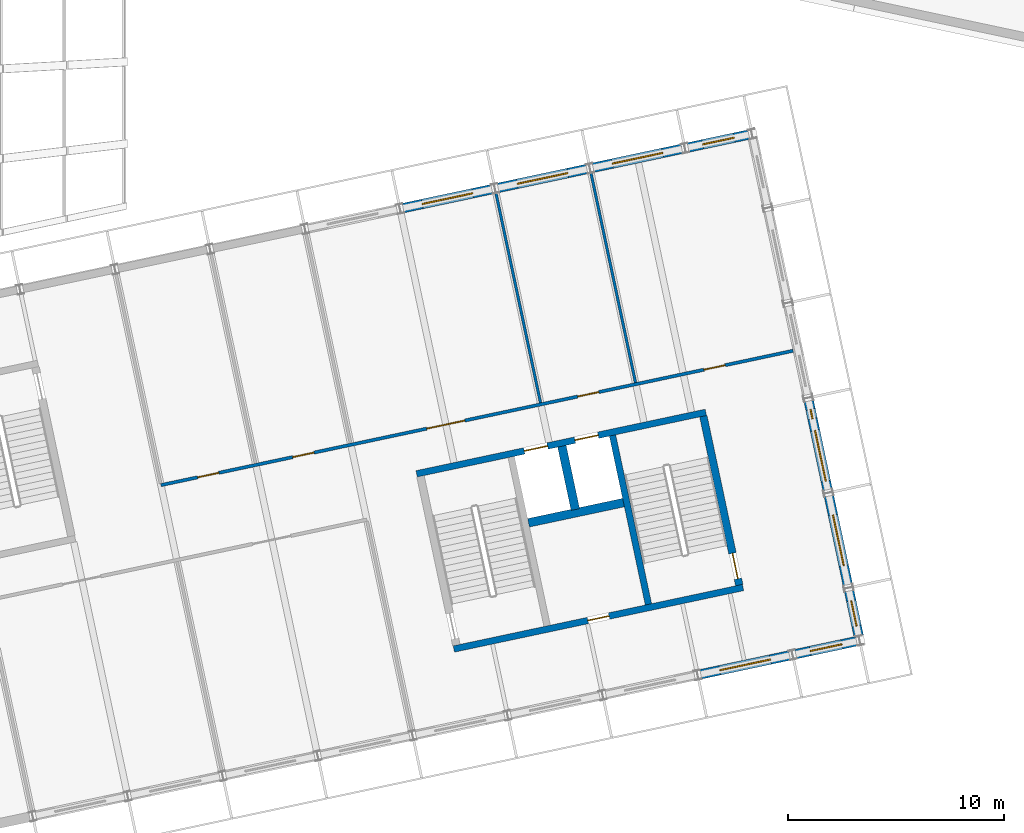
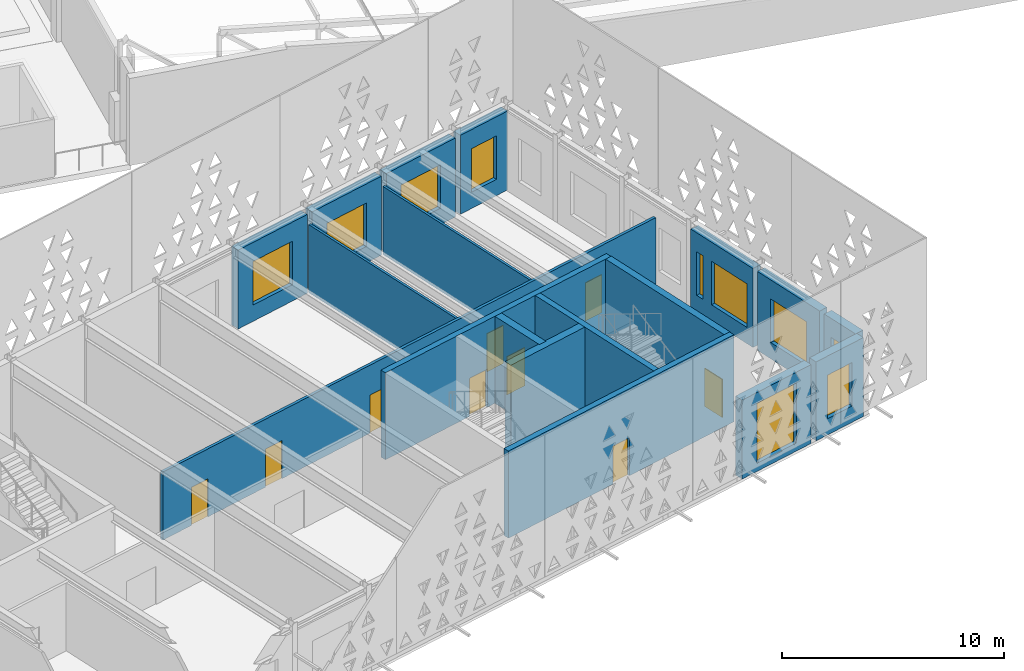
# One storey, part 125 of 196: 18 walls, 10 windows, 9 doors, 19 openings.
"""IFC4 building model written with IfcOpenShell, lengths in metres."""

from ifc_helpers import new_model, si_unit, direction, frame, frame_2d, origin, place, context, subcontext, project, spatial, rectangle, extrude, material, layer, layer_set, type_object, element, fill, save


model = new_model("IFC4")

# Units and contexts
model_context = context("Model", 3, precision=1e-05, world=origin(), true_north=direction((0.0, 1.0)))
body_context = subcontext(model_context, "Body", "Model", "MODEL_VIEW")
ifc_project = project(units=[si_unit("LENGTHUNIT", "METRE"), si_unit("AREAUNIT", "SQUARE_METRE"), si_unit("VOLUMEUNIT", "CUBIC_METRE"), si_unit("PLANEANGLEUNIT", "RADIAN"), si_unit("MASSUNIT", "GRAM", prefix="KILO")], contexts=[model_context])

# Site, building, storey
site_placement = place(None, origin())
site = spatial("IfcSite", under=ifc_project, at=site_placement, CompositionType="ELEMENT")
building_placement = place(site_placement, origin())
building = spatial("IfcBuilding", under=site, at=building_placement, Name="Okhra Congress Centre", CompositionType="ELEMENT")
storey_placement = place(building_placement, frame((0.0, 0.0, 12.0)))
storey = spatial("IfcBuildingStorey", under=building, at=storey_placement, Name="L02", CompositionType="ELEMENT", Elevation=12.0)

# Wall, opening, window
ifc_material_1 = material(Name="Insulated metal panel on steel stud (mineral wool, vapour barrier)", Category="steel")
ifc_layer_1 = layer(ifc_material_1, 0.449951171875)
ifc_layer_set_1 = layer_set([ifc_layer_1], Name="Insulated wall 450")
wall_type_1 = type_object("IfcWallType", Name="Insulated wall 450", PredefinedType="SOLIDWALL", material=ifc_layer_set_1)
wall_1_placement = place(storey_placement, frame((210.814208984375, 58.65087890625, 0.0), z_axis=(0.0, 0.0, 1.0), x_axis=(0.978146440129, 0.207917150959, 0.0)))
wall_1 = element("IfcWall", 1, at=wall_1_placement, inside=storey, type_object=wall_type_1, Name="External wall S35 L02", PredefinedType="SOLIDWALL", context=body_context, shape_type="SweptSolid", body=[
    extrude(rectangle(XDim=4.2001953125, YDim=0.449951171875, at=frame_2d((2.10009765625, 0.0))), origin(), (0.0, 0.0, 1.0), 4.35009765625),
])
opening_1_placement = place(wall_1_placement, frame((0.89990234375, 0.0, 0.449951171875)))
opening_1 = element("IfcOpeningElement", 2, at=opening_1_placement, cuts=wall_1, Name="Opening WN21", PredefinedType="OPENING", context=body_context, shape_type="SweptSolid", body=[
    extrude(rectangle(XDim=2.39990234375, YDim=3.300048828125, at=frame_2d((1.199951171875, 1.64990234375))), frame((0.0, 0.23486328125, 0.0), z_axis=(0.0, -1.0, 0.0), x_axis=(1.0, 0.0, 0.0)), (0.0, 0.0, 1.0), 0.469970703125),
])
ifc_material_2 = material(Name="Thermally broken aluminium frame, triple glazing", Category="aluminium")
window_type_1 = type_object("IfcWindowType", Name="Two-light window 2400x3300", PartitioningType="DOUBLE_PANEL_VERTICAL", PredefinedType="WINDOW", material=ifc_material_2)
window_1_placement = place(opening_1_placement, origin())
window_1 = element("IfcWindow", 3, at=window_1_placement, inside=storey, type_object=window_type_1, Name="BX.WIN.L02.35", OverallHeight=3.300048828125, OverallWidth=2.39990234375, PartitioningType="DOUBLE_PANEL_VERTICAL", PredefinedType="WINDOW", context=body_context, shape_type="SweptSolid", body=[
    extrude(rectangle(XDim=2.39990234375, YDim=3.300048828125, at=frame_2d((1.199951171875, 1.64990234375))), frame((0.0, 0.030029296875, 0.0), z_axis=(0.0, -1.0, 0.0), x_axis=(1.0, 0.0, 0.0)), (0.0, 0.0, 1.0), 0.06005859375),
])
fill(opening_1, window_1)

wall_2_placement = place(storey_placement, frame((215.216064453125, 59.58642578125, 0.0), z_axis=(0.0, 0.0, 1.0), x_axis=(0.978134239598, 0.207974540092, 0.0)))
wall_2 = element("IfcWall", 4, at=wall_2_placement, inside=storey, type_object=wall_type_1, Name="External wall S36 L02", PredefinedType="SOLIDWALL", context=body_context, shape_type="SweptSolid", body=[
    extrude(rectangle(XDim=2.874755859375, YDim=0.449951171875, at=frame_2d((1.4375, 0.0))), origin(), (0.0, 0.0, 1.0), 4.35009765625),
])
opening_2_placement = place(wall_2_placement, frame((0.6875, 0.0, 0.89990234375)))
opening_2 = element("IfcOpeningElement", 5, at=opening_2_placement, cuts=wall_2, Name="Opening WN20", PredefinedType="OPENING", context=body_context, shape_type="SweptSolid", body=[
    extrude(rectangle(XDim=1.5, YDim=2.39990234375, at=frame_2d((0.75, 1.199951171875))), frame((0.0, 0.23486328125, 0.0), z_axis=(0.0, -1.0, 0.0), x_axis=(1.0, 0.0, 0.0)), (0.0, 0.0, 1.0), 0.469970703125),
])
window_type_2 = type_object("IfcWindowType", Name="Fixed window 1500x2400", PartitioningType="SINGLE_PANEL", PredefinedType="WINDOW", material=ifc_material_2)
window_2_placement = place(opening_2_placement, origin())
window_2 = element("IfcWindow", 6, at=window_2_placement, inside=storey, type_object=window_type_2, Name="BX.WIN.L02.36", OverallHeight=2.39990234375, OverallWidth=1.5, PartitioningType="SINGLE_PANEL", PredefinedType="WINDOW", context=body_context, shape_type="SweptSolid", body=[
    extrude(rectangle(XDim=1.5, YDim=2.39990234375, at=frame_2d((0.75, 1.199951171875))), frame((0.0, 0.030029296875, 0.0), z_axis=(0.0, -1.0, 0.0), x_axis=(1.0, 0.0, 0.0)), (0.0, 0.0, 1.0), 0.06005859375),
])
fill(opening_2, window_2)

wall_3_placement = place(storey_placement, frame((197.02099609375, 80.25537109375, 0.0), z_axis=(0.0, 0.0, 1.0), x_axis=(0.97815826, 0.207861536591, 0.0)))
wall_3 = element("IfcWall", 7, at=wall_3_placement, inside=storey, type_object=wall_type_1, Name="External wall N33 L02", PredefinedType="SOLIDWALL", context=body_context, shape_type="SweptSolid", body=[
    extrude(rectangle(XDim=4.2001953125, YDim=0.449951171875, at=frame_2d((2.10009765625, 0.0))), origin(), (0.0, 0.0, 1.0), 4.35009765625),
])
opening_3_placement = place(wall_3_placement, frame((0.89990234375, 0.0, 0.89990234375)))
opening_3 = element("IfcOpeningElement", 8, at=opening_3_placement, cuts=wall_3, Name="Opening WN22", PredefinedType="OPENING", context=body_context, shape_type="SweptSolid", body=[
    extrude(rectangle(XDim=2.39990234375, YDim=2.39990234375, at=frame_2d((1.199951171875, 1.199951171875))), frame((0.0, 0.23486328125, 0.0), z_axis=(0.0, -1.0, 0.0), x_axis=(1.0, 0.0, 0.0)), (0.0, 0.0, 1.0), 0.469970703125),
])
window_type_3 = type_object("IfcWindowType", Name="Fixed window 2400x2400", PartitioningType="SINGLE_PANEL", PredefinedType="WINDOW", material=ifc_material_2)
window_3_placement = place(opening_3_placement, origin())
window_3 = element("IfcWindow", 9, at=window_3_placement, inside=storey, type_object=window_type_3, Name="BX.WIN.L02.60", OverallHeight=2.39990234375, OverallWidth=2.39990234375, PartitioningType="SINGLE_PANEL", PredefinedType="WINDOW", context=body_context, shape_type="SweptSolid", body=[
    extrude(rectangle(XDim=2.39990234375, YDim=2.39990234375, at=frame_2d((1.199951171875, 1.199951171875))), frame((0.0, 0.030029296875, 0.0), z_axis=(0.0, -1.0, 0.0), x_axis=(1.0, 0.0, 0.0)), (0.0, 0.0, 1.0), 0.06005859375),
])
fill(opening_3, window_3)

wall_4_placement = place(storey_placement, frame((201.4228515625, 81.19091796875, 0.0), z_axis=(0.0, 0.0, 1.0), x_axis=(0.978155748334, 0.207873355681, 0.0)))
wall_4 = element("IfcWall", 10, at=wall_4_placement, inside=storey, type_object=wall_type_1, Name="External wall N34 L02", PredefinedType="SOLIDWALL", context=body_context, shape_type="SweptSolid", body=[
    extrude(rectangle(XDim=4.199951171875, YDim=0.449951171875, at=frame_2d((2.10009765625, 0.0))), origin(), (0.0, 0.0, 1.0), 4.35009765625),
])
opening_4_placement = place(wall_4_placement, frame((0.89990234375, 0.0, 0.89990234375)))
opening_4 = element("IfcOpeningElement", 11, at=opening_4_placement, cuts=wall_4, Name="Opening WN22", PredefinedType="OPENING", context=body_context, shape_type="SweptSolid", body=[
    extrude(rectangle(XDim=2.39990234375, YDim=2.39990234375, at=frame_2d((1.199951171875, 1.199951171875))), frame((0.0, 0.23486328125, 0.0), z_axis=(0.0, -1.0, 0.0), x_axis=(1.0, 0.0, 0.0)), (0.0, 0.0, 1.0), 0.469970703125),
])
window_4_placement = place(opening_4_placement, origin())
window_4 = element("IfcWindow", 12, at=window_4_placement, inside=storey, type_object=window_type_3, Name="BX.WIN.L02.61", OverallHeight=2.39990234375, OverallWidth=2.39990234375, PartitioningType="SINGLE_PANEL", PredefinedType="WINDOW", context=body_context, shape_type="SweptSolid", body=[
    extrude(rectangle(XDim=2.39990234375, YDim=2.39990234375, at=frame_2d((1.199951171875, 1.199951171875))), frame((0.0, 0.030029296875, 0.0), z_axis=(0.0, -1.0, 0.0), x_axis=(1.0, 0.0, 0.0)), (0.0, 0.0, 1.0), 0.06005859375),
])
fill(opening_4, window_4)

wall_5_placement = place(storey_placement, frame((205.824462890625, 82.12646484375, 0.0), z_axis=(0.0, 0.0, 1.0), x_axis=(0.978143927149, 0.207928972925, 0.0)))
wall_5 = element("IfcWall", 13, at=wall_5_placement, inside=storey, type_object=wall_type_1, Name="External wall N35 L02", PredefinedType="SOLIDWALL", context=body_context, shape_type="SweptSolid", body=[
    extrude(rectangle(XDim=4.199951171875, YDim=0.449951171875, at=frame_2d((2.10009765625, 0.0))), origin(), (0.0, 0.0, 1.0), 4.35009765625),
])
opening_5_placement = place(wall_5_placement, frame((0.89990234375, 0.0, 0.89990234375)))
opening_5 = element("IfcOpeningElement", 14, at=opening_5_placement, cuts=wall_5, Name="Opening WN22", PredefinedType="OPENING", context=body_context, shape_type="SweptSolid", body=[
    extrude(rectangle(XDim=2.39990234375, YDim=2.39990234375, at=frame_2d((1.199951171875, 1.199951171875))), frame((0.0, 0.23486328125, 0.0), z_axis=(0.0, -1.0, 0.0), x_axis=(1.0, 0.0, 0.0)), (0.0, 0.0, 1.0), 0.469970703125),
])
window_5_placement = place(opening_5_placement, origin())
window_5 = element("IfcWindow", 15, at=window_5_placement, inside=storey, type_object=window_type_3, Name="BX.WIN.L02.62", OverallHeight=2.39990234375, OverallWidth=2.39990234375, PartitioningType="SINGLE_PANEL", PredefinedType="WINDOW", context=body_context, shape_type="SweptSolid", body=[
    extrude(rectangle(XDim=2.39990234375, YDim=2.39990234375, at=frame_2d((1.199951171875, 1.199951171875))), frame((0.0, 0.030029296875, 0.0), z_axis=(0.0, -1.0, 0.0), x_axis=(1.0, 0.0, 0.0)), (0.0, 0.0, 1.0), 0.06005859375),
])
fill(opening_5, window_5)

wall_6_placement = place(storey_placement, frame((210.22607421875, 83.06201171875, 0.0), z_axis=(0.0, 0.0, 1.0), x_axis=(0.978137912316, 0.207957266018, 0.0)))
wall_6 = element("IfcWall", 16, at=wall_6_placement, inside=storey, type_object=wall_type_1, Name="External wall N36 L02", PredefinedType="SOLIDWALL", context=body_context, shape_type="SweptSolid", body=[
    extrude(rectangle(XDim=2.875, YDim=0.449951171875, at=frame_2d((1.4375, 0.0))), origin(), (0.0, 0.0, 1.0), 4.35009765625),
])
opening_6_placement = place(wall_6_placement, frame((0.6875, 0.0, 0.89990234375)))
opening_6 = element("IfcOpeningElement", 17, at=opening_6_placement, cuts=wall_6, Name="Opening WN20", PredefinedType="OPENING", context=body_context, shape_type="SweptSolid", body=[
    extrude(rectangle(XDim=1.5, YDim=2.39990234375, at=frame_2d((0.75, 1.199951171875))), frame((0.0, 0.23486328125, 0.0), z_axis=(0.0, -1.0, 0.0), x_axis=(1.0, 0.0, 0.0)), (0.0, 0.0, 1.0), 0.469970703125),
])
window_6_placement = place(opening_6_placement, origin())
window_6 = element("IfcWindow", 18, at=window_6_placement, inside=storey, type_object=window_type_2, Name="BX.WIN.L02.63", OverallHeight=2.39990234375, OverallWidth=1.5, PartitioningType="SINGLE_PANEL", PredefinedType="WINDOW", context=body_context, shape_type="SweptSolid", body=[
    extrude(rectangle(XDim=1.5, YDim=2.39990234375, at=frame_2d((0.75, 1.199951171875))), frame((0.0, 0.030029296875, 0.0), z_axis=(0.0, -1.0, 0.0), x_axis=(1.0, 0.0, 0.0)), (0.0, 0.0, 1.0), 0.06005859375),
])
fill(opening_6, window_6)

wall_7_placement = place(storey_placement, frame((218.129150390625, 60.4306640625, 0.0), z_axis=(0.0, 0.0, 1.0), x_axis=(-0.207943944947, 0.978140744351, 0.0)))
wall_7 = element("IfcWall", 19, at=wall_7_placement, inside=storey, type_object=wall_type_1, Name="External wall E1 L02", PredefinedType="SOLIDWALL", context=body_context, shape_type="SweptSolid", body=[
    extrude(rectangle(XDim=2.125, YDim=0.449951171875, at=frame_2d((1.0625, 0.0))), origin(), (0.0, 0.0, 1.0), 4.35009765625),
])
opening_7_placement = place(wall_7_placement, frame((0.46240234375, 0.0, 0.89990234375)))
opening_7 = element("IfcOpeningElement", 20, at=opening_7_placement, cuts=wall_7, Name="Opening WN25", PredefinedType="OPENING", context=body_context, shape_type="SweptSolid", body=[
    extrude(rectangle(XDim=1.199951171875, YDim=2.39990234375, at=frame_2d((0.60009765625, 1.199951171875))), frame((0.0, 0.23486328125, 0.0), z_axis=(0.0, -1.0, 0.0), x_axis=(1.0, 0.0, 0.0)), (0.0, 0.0, 1.0), 0.469970703125),
])
window_type_4 = type_object("IfcWindowType", Name="Fixed window 1200x2400", PartitioningType="SINGLE_PANEL", PredefinedType="WINDOW", material=ifc_material_2)
window_7_placement = place(opening_7_placement, origin())
window_7 = element("IfcWindow", 21, at=window_7_placement, inside=storey, type_object=window_type_4, Name="BX.WIN.L02.72", OverallHeight=2.39990234375, OverallWidth=1.199951171875, PartitioningType="SINGLE_PANEL", PredefinedType="WINDOW", context=body_context, shape_type="SweptSolid", body=[
    extrude(rectangle(XDim=1.199951171875, YDim=2.39990234375, at=frame_2d((0.60009765625, 1.199951171875))), frame((0.0, 0.030029296875, 0.0), z_axis=(0.0, -1.0, 0.0), x_axis=(1.0, 0.0, 0.0)), (0.0, 0.0, 1.0), 0.06005859375),
])
fill(opening_7, window_7)

wall_8_placement = place(storey_placement, frame((217.625, 62.802734375, 0.0), z_axis=(0.0, 0.0, 1.0), x_axis=(-0.207928972925, 0.978143927149, 0.0)))
wall_8 = element("IfcWall", 22, at=wall_8_placement, inside=storey, type_object=wall_type_1, Name="External wall E2 L02", PredefinedType="SOLIDWALL", context=body_context, shape_type="SweptSolid", body=[
    extrude(rectangle(XDim=4.199951171875, YDim=0.449951171875, at=frame_2d((2.10009765625, 0.0))), origin(), (0.0, 0.0, 1.0), 4.35009765625),
])
opening_8_placement = place(wall_8_placement, frame((0.89990234375, 0.0, 0.89990234375)))
opening_8 = element("IfcOpeningElement", 23, at=opening_8_placement, cuts=wall_8, Name="Opening WN22", PredefinedType="OPENING", context=body_context, shape_type="SweptSolid", body=[
    extrude(rectangle(XDim=2.39990234375, YDim=2.39990234375, at=frame_2d((1.199951171875, 1.199951171875))), frame((0.0, 0.23486328125, 0.0), z_axis=(0.0, -1.0, 0.0), x_axis=(1.0, 0.0, 0.0)), (0.0, 0.0, 1.0), 0.469970703125),
])
window_8_placement = place(opening_8_placement, origin())
window_8 = element("IfcWindow", 24, at=window_8_placement, inside=storey, type_object=window_type_3, Name="BX.WIN.L02.73", OverallHeight=2.39990234375, OverallWidth=2.39990234375, PartitioningType="SINGLE_PANEL", PredefinedType="WINDOW", context=body_context, shape_type="SweptSolid", body=[
    extrude(rectangle(XDim=2.39990234375, YDim=2.39990234375, at=frame_2d((1.199951171875, 1.199951171875))), frame((0.0, 0.030029296875, 0.0), z_axis=(0.0, -1.0, 0.0), x_axis=(1.0, 0.0, 0.0)), (0.0, 0.0, 1.0), 0.06005859375),
])
fill(opening_8, window_8)

# Wall, openings, windows
wall_9_placement = place(storey_placement, frame((216.689208984375, 67.204345703125, 0.0), z_axis=(0.0, 0.0, 1.0), x_axis=(-0.207873355681, 0.978155748334, 0.0)))
wall_9 = element("IfcWall", 25, at=wall_9_placement, inside=storey, type_object=wall_type_1, Name="External wall E3 L02", PredefinedType="SOLIDWALL", context=body_context, shape_type="SweptSolid", body=[
    extrude(rectangle(XDim=4.199951171875, YDim=0.449951171875, at=frame_2d((2.10009765625, 0.0))), origin(), (0.0, 0.0, 1.0), 4.35009765625),
])
opening_9_placement = place(wall_9_placement, frame((0.39990234375, 0.0, 0.89990234375)))
opening_9 = element("IfcOpeningElement", 26, at=opening_9_placement, cuts=wall_9, Name="Opening WN26", PredefinedType="OPENING", context=body_context, shape_type="SweptSolid", body=[
    extrude(rectangle(XDim=2.405029296875, YDim=2.39990234375, at=frame_2d((1.20263671875, 1.199951171875))), frame((0.0, 0.23486328125, 0.0), z_axis=(0.0, -1.0, 0.0), x_axis=(1.0, 0.0, 0.0)), (0.0, 0.0, 1.0), 0.469970703125),
])
opening_10_placement = place(wall_9_placement, frame((3.35498046875, 0.0, 0.89990234375)))
opening_10 = element("IfcOpeningElement", 27, at=opening_10_placement, cuts=wall_9, Name="Opening WN27", PredefinedType="OPENING", context=body_context, shape_type="SweptSolid", body=[
    extrude(rectangle(XDim=0.445068359375, YDim=2.39990234375, at=frame_2d((0.22265625, 1.199951171875))), frame((0.0, 0.23486328125, 0.0), z_axis=(0.0, -1.0, 0.0), x_axis=(1.0, 0.0, 0.0)), (0.0, 0.0, 1.0), 0.469970703125),
])
window_type_5 = type_object("IfcWindowType", Name="Fixed window 2405x2400", PartitioningType="SINGLE_PANEL", PredefinedType="WINDOW", material=ifc_material_2)
window_9_placement = place(opening_9_placement, origin())
window_9 = element("IfcWindow", 28, at=window_9_placement, inside=storey, type_object=window_type_5, Name="BX.WIN.L02.74", OverallHeight=2.39990234375, OverallWidth=2.405029296875, PartitioningType="SINGLE_PANEL", PredefinedType="WINDOW", context=body_context, shape_type="SweptSolid", body=[
    extrude(rectangle(XDim=2.405029296875, YDim=2.39990234375, at=frame_2d((1.20263671875, 1.199951171875))), frame((0.0, 0.030029296875, 0.0), z_axis=(0.0, -1.0, 0.0), x_axis=(1.0, 0.0, 0.0)), (0.0, 0.0, 1.0), 0.06005859375),
])
fill(opening_9, window_9)
window_type_6 = type_object("IfcWindowType", Name="Fixed window 445x2400", PartitioningType="SINGLE_PANEL", PredefinedType="WINDOW", material=ifc_material_2)
window_10_placement = place(opening_10_placement, origin())
window_10 = element("IfcWindow", 29, at=window_10_placement, inside=storey, type_object=window_type_6, Name="BX.WIN.L02.75", OverallHeight=2.39990234375, OverallWidth=0.445068359375, PartitioningType="SINGLE_PANEL", PredefinedType="WINDOW", context=body_context, shape_type="SweptSolid", body=[
    extrude(rectangle(XDim=0.445068359375, YDim=2.39990234375, at=frame_2d((0.22265625, 1.199951171875))), frame((0.0, 0.030029296875, 0.0), z_axis=(0.0, -1.0, 0.0), x_axis=(1.0, 0.0, 0.0)), (0.0, 0.0, 1.0), 0.06005859375),
])
fill(opening_10, window_10)

# Walls
ifc_material_3 = material(Name="Gypsum board on steel studs", Category="steel")
ifc_layer_2 = layer(ifc_material_3, 0.125)
ifc_layer_set_2 = layer_set([ifc_layer_2], Name="Partition 125 EI 45")
wall_type_2 = type_object("IfcWallType", Name="Partition 125 EI 45", PredefinedType="PARTITIONING", material=ifc_layer_set_2)
wall_10_placement = place(storey_placement, frame((201.32275390625, 80.939697265625, 0.0), z_axis=(0.0, 0.0, 1.0), x_axis=(0.207904355568, -0.978149159861, 0.0)))
element("IfcWall", 30, at=wall_10_placement, inside=storey, type_object=wall_type_2, Name="Partition N L02", PredefinedType="PARTITIONING", context=body_context, shape_type="SweptSolid", body=[
    extrude(rectangle(XDim=9.925048828125, YDim=0.125, at=frame_2d((4.96240234375, 0.0))), origin(), (0.0, 0.0, 1.0), 3.75),
])
wall_11_placement = place(storey_placement, frame((205.724365234375, 81.875244140625, 0.0), z_axis=(0.0, 0.0, 1.0), x_axis=(0.207927890391, -0.978144157268, 0.0)))
element("IfcWall", 31, at=wall_11_placement, inside=storey, type_object=wall_type_2, Name="Partition N L02", PredefinedType="PARTITIONING", context=body_context, shape_type="SweptSolid", body=[
    extrude(rectangle(XDim=9.92529296875, YDim=0.125, at=frame_2d((4.962646484375, 0.0))), origin(), (0.0, 0.0, 1.0), 3.75),
])

# Wall, openings, doors
ifc_layer_3 = layer(ifc_material_3, 0.14990234375)
ifc_layer_set_3 = layer_set([ifc_layer_3], Name="Partition 150 EI 15")
wall_type_3 = type_object("IfcWallType", Name="Partition 150 EI 15", PredefinedType="PARTITIONING", material=ifc_layer_set_3)
wall_12_placement = place(storey_placement, frame((185.795166015625, 67.415771484375, 0.0), z_axis=(0.0, 0.0, 1.0), x_axis=(0.978148801969, 0.20790603937, 0.0)))
wall_12 = element("IfcWall", 32, at=wall_12_placement, inside=storey, type_object=wall_type_3, Name="Corridor wall N3 L02", PredefinedType="PARTITIONING", context=body_context, shape_type="SweptSolid", body=[
    extrude(rectangle(XDim=29.9501953125, YDim=0.14990234375, at=frame_2d((14.97509765625, 0.0))), origin(), (0.0, 0.0, 1.0), 3.75),
])
opening_11_placement = place(wall_12_placement, frame((1.75, 0.0, 0.0)))
opening_11 = element("IfcOpeningElement", 33, at=opening_11_placement, cuts=wall_12, Name="Opening L02-083", PredefinedType="OPENING", context=body_context, shape_type="SweptSolid", body=[
    extrude(rectangle(XDim=1.0, YDim=2.10009765625, at=frame_2d((0.5, 1.050048828125))), frame((0.0, 0.0849609375, 0.0), z_axis=(0.0, -1.0, 0.0), x_axis=(1.0, 0.0, 0.0)), (0.0, 0.0, 1.0), 0.169921875),
])
opening_12_placement = place(wall_12_placement, frame((6.25, 0.0, 0.0)))
opening_12 = element("IfcOpeningElement", 34, at=opening_12_placement, cuts=wall_12, Name="Opening L02-084", PredefinedType="OPENING", context=body_context, shape_type="SweptSolid", body=[
    extrude(rectangle(XDim=1.0, YDim=2.10009765625, at=frame_2d((0.5, 1.050048828125))), frame((0.0, 0.0849609375, 0.0), z_axis=(0.0, -1.0, 0.0), x_axis=(1.0, 0.0, 0.0)), (0.0, 0.0, 1.0), 0.169921875),
])
opening_13_placement = place(wall_12_placement, frame((12.60009765625, 0.0, 0.0)))
opening_13 = element("IfcOpeningElement", 35, at=opening_13_placement, cuts=wall_12, Name="Opening L02-085", PredefinedType="OPENING", context=body_context, shape_type="SweptSolid", body=[
    extrude(rectangle(XDim=1.800048828125, YDim=2.10009765625, at=frame_2d((0.89990234375, 1.050048828125))), frame((0.0, 0.0849609375, 0.0), z_axis=(0.0, -1.0, 0.0), x_axis=(1.0, 0.0, 0.0)), (0.0, 0.0, 1.0), 0.169921875),
])
opening_14_placement = place(wall_12_placement, frame((19.75, 0.0, 0.0)))
opening_14 = element("IfcOpeningElement", 36, at=opening_14_placement, cuts=wall_12, Name="Opening L02-086", PredefinedType="OPENING", context=body_context, shape_type="SweptSolid", body=[
    extrude(rectangle(XDim=1.0, YDim=2.10009765625, at=frame_2d((0.5, 1.050048828125))), frame((0.0, 0.0849609375, 0.0), z_axis=(0.0, -1.0, 0.0), x_axis=(1.0, 0.0, 0.0)), (0.0, 0.0, 1.0), 0.169921875),
])
opening_15_placement = place(wall_12_placement, frame((25.72509765625, 0.0, 0.0)))
opening_15 = element("IfcOpeningElement", 37, at=opening_15_placement, cuts=wall_12, Name="Opening L02-087", PredefinedType="OPENING", context=body_context, shape_type="SweptSolid", body=[
    extrude(rectangle(XDim=1.0, YDim=2.10009765625, at=frame_2d((0.5, 1.050048828125))), frame((0.0, 0.0849609375, 0.0), z_axis=(0.0, -1.0, 0.0), x_axis=(1.0, 0.0, 0.0)), (0.0, 0.0, 1.0), 0.169921875),
])
ifc_material_4 = material(Name="Timber door leaves in steel frame", Category="steel")
door_type_1 = type_object("IfcDoorType", Name="Double swing door 1800x2100", OperationType="NOTDEFINED", PredefinedType="DOOR", material=ifc_material_4)
door_1_placement = place(opening_13_placement, frame((1.800048828125, 0.0, 0.0), z_axis=(0.0, 0.0, 1.0), x_axis=(-1.0, 0.0, 0.0)))
door_1 = element("IfcDoor", 38, at=door_1_placement, inside=storey, type_object=door_type_1, Name="Door L02-085", OperationType="DOUBLE_DOOR_SINGLE_SWING", OverallHeight=2.10009765625, OverallWidth=1.800048828125, PredefinedType="DOOR", context=body_context, shape_type="SweptSolid", body=[
    extrude(rectangle(XDim=1.800048828125, YDim=2.10009765625, at=frame_2d((0.89990234375, 1.050048828125))), frame((0.0, 0.02490234375, 0.0), z_axis=(0.0, -1.0, 0.0), x_axis=(1.0, 0.0, 0.0)), (0.0, 0.0, 1.0), 0.050048828125),
])
fill(opening_13, door_1)
ifc_material_5 = material(Name="Timber door leaf in steel frame", Category="steel")
door_type_2 = type_object("IfcDoorType", Name="Single swing door 1000x2100", OperationType="NOTDEFINED", PredefinedType="DOOR", material=ifc_material_5)
door_2_placement = place(opening_11_placement, origin())
door_2 = element("IfcDoor", 39, at=door_2_placement, inside=storey, type_object=door_type_2, Name="Door L02-083", OperationType="SINGLE_SWING_RIGHT", OverallHeight=2.10009765625, OverallWidth=1.0, PredefinedType="DOOR", context=body_context, shape_type="SweptSolid", body=[
    extrude(rectangle(XDim=1.0, YDim=2.10009765625, at=frame_2d((0.5, 1.050048828125))), frame((0.0, 0.02490234375, 0.0), z_axis=(0.0, -1.0, 0.0), x_axis=(1.0, 0.0, 0.0)), (0.0, 0.0, 1.0), 0.050048828125),
])
fill(opening_11, door_2)
door_3_placement = place(opening_12_placement, origin())
door_3 = element("IfcDoor", 40, at=door_3_placement, inside=storey, type_object=door_type_2, Name="Door L02-084", OperationType="SINGLE_SWING_LEFT", OverallHeight=2.10009765625, OverallWidth=1.0, PredefinedType="DOOR", context=body_context, shape_type="SweptSolid", body=[
    extrude(rectangle(XDim=1.0, YDim=2.10009765625, at=frame_2d((0.5, 1.050048828125))), frame((0.0, 0.02490234375, 0.0), z_axis=(0.0, -1.0, 0.0), x_axis=(1.0, 0.0, 0.0)), (0.0, 0.0, 1.0), 0.050048828125),
])
fill(opening_12, door_3)
door_4_placement = place(opening_15_placement, origin())
door_4 = element("IfcDoor", 41, at=door_4_placement, inside=storey, type_object=door_type_2, Name="Door L02-087", OperationType="SINGLE_SWING_RIGHT", OverallHeight=2.10009765625, OverallWidth=1.0, PredefinedType="DOOR", context=body_context, shape_type="SweptSolid", body=[
    extrude(rectangle(XDim=1.0, YDim=2.10009765625, at=frame_2d((0.5, 1.050048828125))), frame((0.0, 0.02490234375, 0.0), z_axis=(0.0, -1.0, 0.0), x_axis=(1.0, 0.0, 0.0)), (0.0, 0.0, 1.0), 0.050048828125),
])
fill(opening_15, door_4)
ifc_material_6 = material(Name="Steel fire door leaf in steel frame, intumescent seals", Category="steel")
door_type_3 = type_object("IfcDoorType", Name="Steel fire door 1000x2100 EI 30", OperationType="NOTDEFINED", PredefinedType="DOOR", material=ifc_material_6)
door_5_placement = place(opening_14_placement, origin())
door_5 = element("IfcDoor", 42, at=door_5_placement, inside=storey, type_object=door_type_3, Name="Door L02-086", OperationType="SINGLE_SWING_LEFT", OverallHeight=2.10009765625, OverallWidth=1.0, PredefinedType="DOOR", context=body_context, shape_type="SweptSolid", body=[
    extrude(rectangle(XDim=1.0, YDim=2.10009765625, at=frame_2d((0.5, 1.050048828125))), frame((0.0, 0.02490234375, 0.0), z_axis=(0.0, -1.0, 0.0), x_axis=(1.0, 0.0, 0.0)), (0.0, 0.0, 1.0), 0.050048828125),
])
fill(opening_14, door_5)

# Wall, opening, door
ifc_material_7 = material(Name="Concrete C35/45", Category="concrete")
ifc_layer_4 = layer(ifc_material_7, 0.300048828125)
ifc_layer_set_4 = layer_set([ifc_layer_4], Name="RC core wall 300 REI 120 C35/45")
wall_type_4 = type_object("IfcWallType", Name="RC core wall 300 REI 120 C35/45", PredefinedType="SHEAR", material=ifc_layer_set_4)
wall_13_placement = place(storey_placement, frame((199.37060546875, 59.822265625, 0.0), z_axis=(0.0, 0.0, 1.0), x_axis=(0.978147662755, 0.20791139903, 0.0)))
wall_13 = element("IfcWall", 43, at=wall_13_placement, inside=storey, type_object=wall_type_4, Name="BX.WALL.L02.K5S", PredefinedType="SHEAR", context=body_context, shape_type="SweptSolid", body=[
    extrude(rectangle(XDim=13.699951171875, YDim=0.300048828125, at=frame_2d((6.85009765625, 0.0))), origin(), (0.0, 0.0, 1.0), 4.800048828125),
])
opening_16_placement = place(wall_13_placement, frame((6.35009765625, 0.0, 0.0)))
opening_16 = element("IfcOpeningElement", 44, at=opening_16_placement, cuts=wall_13, Name="Opening L02-060", PredefinedType="OPENING", context=body_context, shape_type="SweptSolid", body=[
    extrude(rectangle(XDim=1.0, YDim=2.10009765625, at=frame_2d((0.5, 1.050048828125))), frame((0.0, 0.159912109375, 0.0), z_axis=(0.0, -1.0, 0.0), x_axis=(1.0, 0.0, 0.0)), (0.0, 0.0, 1.0), 0.320068359375),
])
door_6_placement = place(opening_16_placement, origin())
door_6 = element("IfcDoor", 45, at=door_6_placement, inside=storey, type_object=door_type_3, Name="Door L02-060", OperationType="SINGLE_SWING_RIGHT", OverallHeight=2.10009765625, OverallWidth=1.0, PredefinedType="DOOR", context=body_context, shape_type="SweptSolid", body=[
    extrude(rectangle(XDim=1.0, YDim=2.10009765625, at=frame_2d((0.5, 1.050048828125))), frame((0.0, 0.02490234375, 0.0), z_axis=(0.0, -1.0, 0.0), x_axis=(1.0, 0.0, 0.0)), (0.0, 0.0, 1.0), 0.050048828125),
])
fill(opening_16, door_6)

# Wall, openings, doors
wall_14_placement = place(storey_placement, frame((197.64501953125, 67.94091796875, 0.0), z_axis=(0.0, 0.0, 1.0), x_axis=(0.978147662755, 0.20791139903, 0.0)))
wall_14 = element("IfcWall", 46, at=wall_14_placement, inside=storey, type_object=wall_type_4, Name="BX.WALL.L02.K5T", PredefinedType="SHEAR", context=body_context, shape_type="SweptSolid", body=[
    extrude(rectangle(XDim=13.699951171875, YDim=0.300048828125, at=frame_2d((6.85009765625, 0.0))), origin(), (0.0, 0.0, 1.0), 4.800048828125),
])
opening_17_placement = place(wall_14_placement, frame((5.10009765625, 0.0, 0.0)))
opening_17 = element("IfcOpeningElement", 47, at=opening_17_placement, cuts=wall_14, Name="Opening L02-056", PredefinedType="OPENING", context=body_context, shape_type="SweptSolid", body=[
    extrude(rectangle(XDim=1.10009765625, YDim=2.10009765625, at=frame_2d((0.550048828125, 1.050048828125))), frame((0.0, 0.159912109375, 0.0), z_axis=(0.0, -1.0, 0.0), x_axis=(1.0, 0.0, 0.0)), (0.0, 0.0, 1.0), 0.320068359375),
])
opening_18_placement = place(wall_14_placement, frame((7.5, 0.0, 0.0)))
opening_18 = element("IfcOpeningElement", 48, at=opening_18_placement, cuts=wall_14, Name="Opening L02-057", PredefinedType="OPENING", context=body_context, shape_type="SweptSolid", body=[
    extrude(rectangle(XDim=1.10009765625, YDim=2.10009765625, at=frame_2d((0.550048828125, 1.050048828125))), frame((0.0, 0.159912109375, 0.0), z_axis=(0.0, -1.0, 0.0), x_axis=(1.0, 0.0, 0.0)), (0.0, 0.0, 1.0), 0.320068359375),
])
ifc_material_8 = material(Name="Stainless steel sliding landing door leaves", Category="steel")
door_type_4 = type_object("IfcDoorType", Name="Lift landing door 1100x2100 EI 30", OperationType="DOUBLE_DOOR_SLIDING", PredefinedType="DOOR", material=ifc_material_8)
door_7_placement = place(opening_17_placement, origin())
door_7 = element("IfcDoor", 49, at=door_7_placement, inside=storey, type_object=door_type_4, Name="Door L02-056", OperationType="DOUBLE_DOOR_SLIDING", OverallHeight=2.10009765625, OverallWidth=1.10009765625, PredefinedType="DOOR", context=body_context, shape_type="SweptSolid", body=[
    extrude(rectangle(XDim=1.10009765625, YDim=2.10009765625, at=frame_2d((0.550048828125, 1.050048828125))), frame((0.0, 0.02490234375, 0.0), z_axis=(0.0, -1.0, 0.0), x_axis=(1.0, 0.0, 0.0)), (0.0, 0.0, 1.0), 0.050048828125),
])
fill(opening_17, door_7)
door_8_placement = place(opening_18_placement, origin())
door_8 = element("IfcDoor", 50, at=door_8_placement, inside=storey, type_object=door_type_4, Name="Door L02-057", OperationType="DOUBLE_DOOR_SLIDING", OverallHeight=2.10009765625, OverallWidth=1.10009765625, PredefinedType="DOOR", context=body_context, shape_type="SweptSolid", body=[
    extrude(rectangle(XDim=1.10009765625, YDim=2.10009765625, at=frame_2d((0.550048828125, 1.050048828125))), frame((0.0, 0.02490234375, 0.0), z_axis=(0.0, -1.0, 0.0), x_axis=(1.0, 0.0, 0.0)), (0.0, 0.0, 1.0), 0.050048828125),
])
fill(opening_18, door_8)

# Walls
wall_15_placement = place(storey_placement, frame((208.387451171875, 61.89208984375, 0.0), z_axis=(0.0, 0.0, 1.0), x_axis=(-0.207915693476, 0.978146749934, 0.0)))
element("IfcWall", 51, at=wall_15_placement, inside=storey, type_object=wall_type_4, Name="BX.WALL.L02.K5P2", PredefinedType="SHEAR", context=body_context, shape_type="SweptSolid", body=[
    extrude(rectangle(XDim=8.0, YDim=0.300048828125, at=frame_2d((4.0, 0.0))), origin(), (0.0, 0.0, 1.0), 4.800048828125),
])
ifc_layer_5 = layer(ifc_material_7, 0.39990234375)
ifc_layer_set_5 = layer_set([ifc_layer_5], Name="RC core wall 400 REI 120 C35/45")
wall_type_5 = type_object("IfcWallType", Name="RC core wall 400 REI 120 C35/45", PredefinedType="SHEAR", material=ifc_layer_set_5)
wall_16_placement = place(storey_placement, frame((205.000244140625, 66.283935546875, 0.0), z_axis=(0.0, 0.0, 1.0), x_axis=(-0.207933702079, 0.978142921837, 0.0)))
element("IfcWall", 52, at=wall_16_placement, inside=storey, type_object=wall_type_5, Name="BX.WALL.L02.K5D", PredefinedType="SHEAR", context=body_context, shape_type="SweptSolid", body=[
    extrude(rectangle(XDim=3.0, YDim=0.39990234375, at=frame_2d((1.5, 0.0))), origin(), (0.0, 0.0, 1.0), 4.800048828125),
])
wall_17_placement = place(storey_placement, frame((202.83056640625, 65.66943359375, 0.0), z_axis=(0.0, 0.0, 1.0), x_axis=(0.978149611564, 0.20790223038, 0.0)))
element("IfcWall", 53, at=wall_17_placement, inside=storey, type_object=wall_type_5, Name="BX.WALL.L02.K5R", PredefinedType="SHEAR", context=body_context, shape_type="SweptSolid", body=[
    extrude(rectangle(XDim=4.5, YDim=0.39990234375, at=frame_2d((2.25, 0.0))), origin(), (0.0, 0.0, 1.0), 4.800048828125),
])

# Wall, opening, door
ifc_material_9 = material(Name="Concrete C30/37", Category="concrete")
ifc_layer_6 = layer(ifc_material_9, 0.35009765625)
ifc_layer_set_6 = layer_set([ifc_layer_6], Name="RC wall 350 REI 120 C30/37")
wall_type_6 = type_object("IfcWallType", Name="RC wall 350 REI 120 C30/37", PredefinedType="SOLIDWALL", material=ifc_layer_set_6)
wall_18_placement = place(storey_placement, frame((212.593505859375, 62.7861328125, 0.0), z_axis=(0.0, 0.0, 1.0), x_axis=(-0.207915693476, 0.978146749934, 0.0)))
wall_18 = element("IfcWall", 54, at=wall_18_placement, inside=storey, type_object=wall_type_6, Name="BX.WALL.L02.K5E", PredefinedType="SOLIDWALL", context=body_context, shape_type="SweptSolid", body=[
    extrude(rectangle(XDim=8.0, YDim=0.35009765625, at=frame_2d((4.0, 0.0))), origin(), (0.0, 0.0, 1.0), 4.800048828125),
])
opening_19_placement = place(wall_18_placement, frame((0.300048828125, 0.0, 0.0)))
opening_19 = element("IfcOpeningElement", 55, at=opening_19_placement, cuts=wall_18, Name="Opening L02-059", PredefinedType="OPENING", context=body_context, shape_type="SweptSolid", body=[
    extrude(rectangle(XDim=1.199951171875, YDim=2.10009765625, at=frame_2d((0.60009765625, 1.050048828125))), frame((0.0, 0.18505859375, 0.0), z_axis=(0.0, -1.0, 0.0), x_axis=(1.0, 0.0, 0.0)), (0.0, 0.0, 1.0), 0.3701171875),
])
door_type_5 = type_object("IfcDoorType", Name="Steel fire door 1200x2100 EI 30", OperationType="NOTDEFINED", PredefinedType="DOOR", material=ifc_material_6)
door_9_placement = place(opening_19_placement, frame((1.199951171875, 0.0, 0.0), z_axis=(0.0, 0.0, 1.0), x_axis=(-1.0, 0.0, 0.0)))
door_9 = element("IfcDoor", 56, at=door_9_placement, inside=storey, type_object=door_type_5, Name="Door L02-059", OperationType="SINGLE_SWING_LEFT", OverallHeight=2.10009765625, OverallWidth=1.199951171875, PredefinedType="DOOR", context=body_context, shape_type="SweptSolid", body=[
    extrude(rectangle(XDim=1.199951171875, YDim=2.10009765625, at=frame_2d((0.60009765625, 1.050048828125))), frame((0.0, 0.02490234375, 0.0), z_axis=(0.0, -1.0, 0.0), x_axis=(1.0, 0.0, 0.0)), (0.0, 0.0, 1.0), 0.050048828125),
])
fill(opening_19, door_9)

save(model, "model.ifc")
